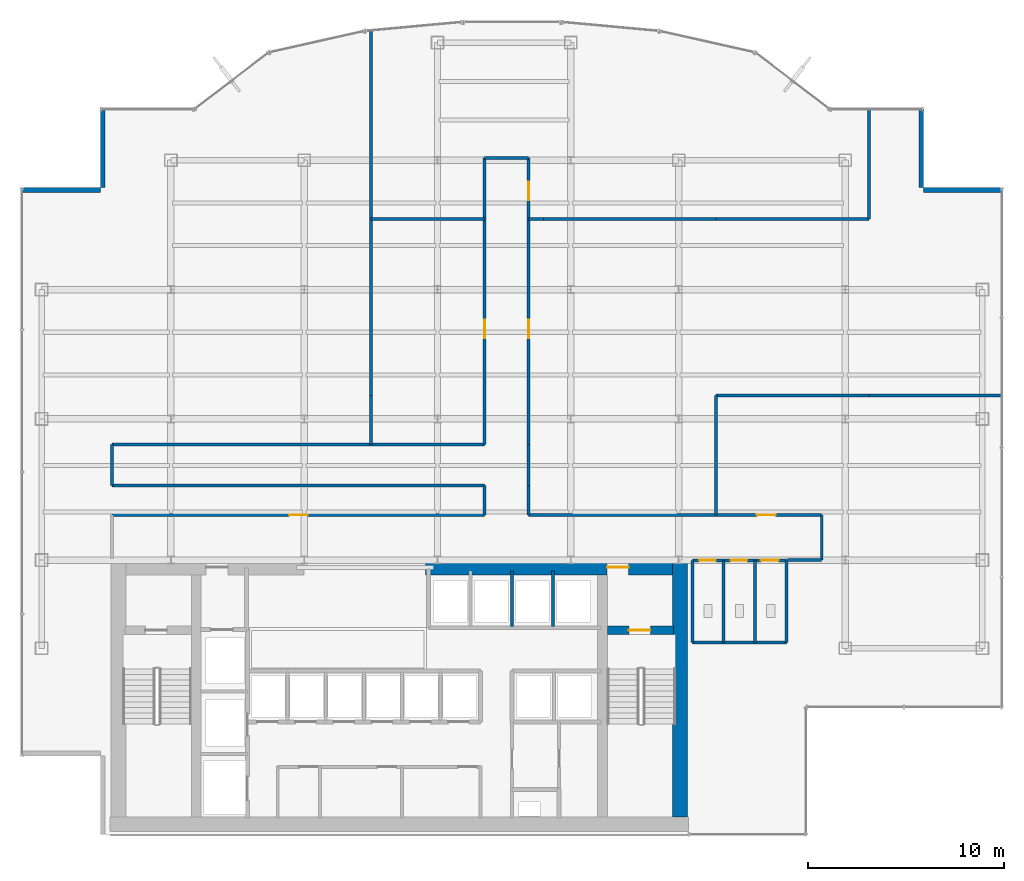
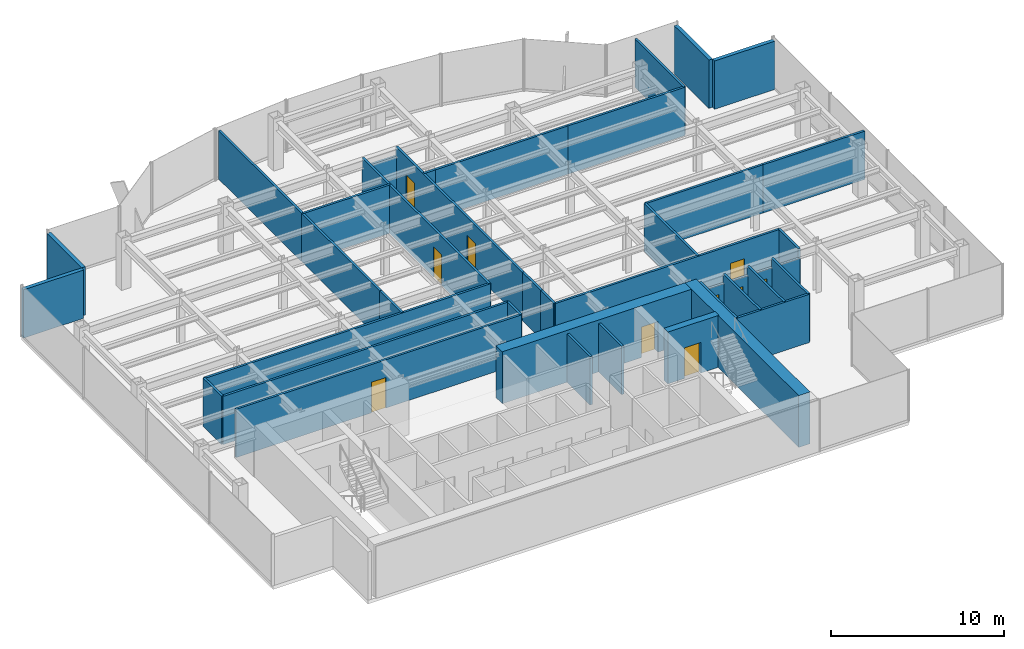
# One storey, part 21 of 25: 39 walls, 10 doors, 10 openings.
"""IFC4 building model written with IfcOpenShell, lengths in metres."""

import ifcopenshell
import ifcopenshell.guid

model = None  # the IFC model being written
_history = None  # IfcOwnerHistory: only IFC2X3 demands one
_inside = {}  # id of a spatial element -> (the spatial element, [elements in it])
_under = {}  # id of a project, library or spatial element -> (it, [spatial elements below it])
_declared = {}  # id of a project -> (the project, [libraries it declares])
_typed = {}  # id of a type object -> (the type object, [elements of that type])
_made_of = {}  # id of a material, layer set ... -> (it, [elements and type objects made of it])


def new_model(schema):
    """Start an empty IFC model of exactly this schema.

    Asked for "IFC4X3", IfcOpenShell would pick the latest addendum, in which some entities
    have other attributes; the version numbers below select the first issue.
    IFC2X3 requires an IfcOwnerHistory on every rooted entity: one is made here for all.
    """
    global model, _history
    if schema == "IFC4X3":
        model = ifcopenshell.file(schema_version=(4, 3, 0, 0))
    else:
        model = ifcopenshell.file(schema=schema)
    _inside.clear()
    _under.clear()
    _declared.clear()
    _typed.clear()
    _made_of.clear()
    _history = None
    if model.schema == "IFC2X3":
        org = make("IfcOrganization", Name="unknown")
        user = make(
            "IfcPersonAndOrganization",
            ThePerson=make("IfcPerson", FamilyName="unknown"),
            TheOrganization=org,
        )
        app = make(
            "IfcApplication",
            ApplicationDeveloper=org,
            Version="unknown",
            ApplicationFullName="unknown",
            ApplicationIdentifier="unknown",
        )
        _history = make(
            "IfcOwnerHistory",
            OwningUser=user,
            OwningApplication=app,
            ChangeAction="ADDED",
            CreationDate=0,
        )
    return model


def make(cls, **values):
    """One entity of the class cls with the attributes given. An attribute that is None is left unset."""
    return model.create_entity(
        cls, **{name: value for name, value in values.items() if value is not None}
    )


def rooted(cls, **values):
    """An entity with a GlobalId (a new one), such as an element, a storey or a relation."""
    return make(cls, GlobalId=ifcopenshell.guid.new(), OwnerHistory=_history, **values)


def si_unit(unit_type, name, prefix=None):
    """IfcSIUnit, for example si_unit("LENGTHUNIT", "METRE", prefix="MILLI")."""
    return make("IfcSIUnit", UnitType=unit_type, Prefix=prefix, Name=name)


def derived_unit(unit_type, elements):
    """IfcDerivedUnit: a product of units, each with its exponent."""
    return make(
        "IfcDerivedUnit",
        Elements=[
            make("IfcDerivedUnitElement", Unit=unit, Exponent=power)
            for unit, power in elements
        ],
        UnitType=unit_type,
    )


def assignment(units):
    """IfcUnitAssignment: the units of a project."""
    return None if units is None else make("IfcUnitAssignment", Units=units)


def point(xyz):
    """IfcCartesianPoint."""
    return None if xyz is None else make("IfcCartesianPoint", Coordinates=xyz)


def direction(xyz):
    """IfcDirection."""
    return None if xyz is None else make("IfcDirection", DirectionRatios=xyz)


def frame(location, z_axis=None, x_axis=None):
    """IfcAxis2Placement3D, a coordinate frame: its origin and axes. An axis left out is left unset."""
    return make(
        "IfcAxis2Placement3D",
        Location=point(location),
        Axis=direction(z_axis),
        RefDirection=direction(x_axis),
    )


def frame_2d(location, x_axis=None):
    """IfcAxis2Placement2D, a coordinate frame in the plane: its origin and x axis."""
    return make(
        "IfcAxis2Placement2D", Location=point(location), RefDirection=direction(x_axis)
    )


def origin():
    """The frame at (0, 0, 0) with its axes left unset."""
    return frame((0.0, 0.0, 0.0))


def place(relative_to, where):
    """IfcLocalPlacement: puts the frame where relative to a parent placement (None: the world)."""
    return make(
        "IfcLocalPlacement", PlacementRelTo=relative_to, RelativePlacement=where
    )


def context(
    kind, dimensions, precision=None, world=None, true_north=None, identifier=None
):
    """IfcGeometricRepresentationContext, for example the 3D "Model" context."""
    return make(
        "IfcGeometricRepresentationContext",
        ContextIdentifier=identifier,
        ContextType=kind,
        CoordinateSpaceDimension=dimensions,
        Precision=precision,
        WorldCoordinateSystem=world,
        TrueNorth=true_north,
    )


def subcontext(parent, identifier, kind, view, scale=None):
    """IfcGeometricRepresentationSubContext, for example "Body" below "Model"."""
    return make(
        "IfcGeometricRepresentationSubContext",
        ContextIdentifier=identifier,
        ContextType=kind,
        ParentContext=parent,
        TargetScale=scale,
        TargetView=view,
    )


def project(units=None, contexts=None):
    """IfcProject with its units and contexts."""
    return rooted(
        "IfcProject",
        Name="project",
        RepresentationContexts=contexts,
        UnitsInContext=assignment(units),
    )


def spatial(cls, under=None, at=None, **own):
    """A site, building, storey or space (cls), placed at a placement, below another one or the project."""
    s = rooted(cls, ObjectPlacement=at, **own)
    if under is not None:
        _under.setdefault(under.id(), (under, []))[1].append(s)
    return s


def profile(cls, at=None, kind="AREA", **sizes):
    """A parametric profile (cls). Its sizes go by their IFC names, for example OverallWidth=200.0."""
    return make(cls, ProfileType=kind, Position=at, **sizes)


def rectangle(**sizes):
    """IfcRectangleProfileDef."""
    return profile("IfcRectangleProfileDef", **sizes)


def extrude(swept, where, along, depth):
    """IfcExtrudedAreaSolid: the profile swept, set in the frame where, extruded along a direction by depth."""
    return make(
        "IfcExtrudedAreaSolid",
        SweptArea=swept,
        Position=where,
        ExtrudedDirection=direction(along),
        Depth=depth,
    )


def shape(context_of_items, identifier, shape_type, items):
    """IfcShapeRepresentation: the items that make up one representation, for example the "Body"."""
    return make(
        "IfcShapeRepresentation",
        ContextOfItems=context_of_items,
        RepresentationIdentifier=identifier,
        RepresentationType=shape_type,
        Items=items,
    )


def source(mapping_origin, context_of_items, identifier, shape_type, items):
    """IfcRepresentationMap: a shape defined once, which mapped items show again and again."""
    return make(
        "IfcRepresentationMap",
        MappingOrigin=mapping_origin,
        MappedRepresentation=shape(context_of_items, identifier, shape_type, items),
    )


def transform(
    local_origin,
    x_axis=None,
    y_axis=None,
    z_axis=None,
    scale=None,
    scale2=None,
    scale3=None,
    uniform=True,
):
    """IfcCartesianTransformationOperator3D, or its non-uniform kind. x_axis, y_axis, z_axis: its Axis1, 2, 3."""
    if uniform:
        return make(
            "IfcCartesianTransformationOperator3D",
            Axis1=direction(x_axis),
            Axis2=direction(y_axis),
            LocalOrigin=point(local_origin),
            Scale=scale,
            Axis3=direction(z_axis),
        )
    return make(
        "IfcCartesianTransformationOperator3DnonUniform",
        Axis1=direction(x_axis),
        Axis2=direction(y_axis),
        LocalOrigin=point(local_origin),
        Scale=scale,
        Axis3=direction(z_axis),
        Scale2=scale2,
        Scale3=scale3,
    )


def mapped(mapping_source, mapping_target):
    """IfcMappedItem: shows the shape of a source again, moved by a transform."""
    return make(
        "IfcMappedItem", MappingSource=mapping_source, MappingTarget=mapping_target
    )


def material(Name=None, Category=None):
    """IfcMaterial."""
    return make("IfcMaterial", Name=Name, Category=Category)


def layer(
    of_material, thickness, ventilated=None, Name=None, Category=None, Priority=None
):
    """IfcMaterialLayer: one layer of a wall or slab, of a material (None: an air gap)."""
    return make(
        "IfcMaterialLayer",
        Material=of_material,
        LayerThickness=thickness,
        IsVentilated=ventilated,
        Name=Name,
        Category=Category,
        Priority=Priority,
    )


def layer_set(layers, Name=None):
    """IfcMaterialLayerSet."""
    return make("IfcMaterialLayerSet", MaterialLayers=layers, LayerSetName=Name)


def made_of(thing, what):
    """Note that an element or type object is made of a material, layer set ...; save() writes the relation."""
    if what is not None:
        _made_of.setdefault(what.id(), (what, []))[1].append(thing)
    return thing


def type_object(cls, material=None, **own):
    """A type object (cls), such as IfcWallType, which elements share."""
    return made_of(rooted(cls, **own), material)


def element(
    cls,
    number,
    at=None,
    inside=None,
    cuts=None,
    type_object=None,
    material=None,
    context=None,
    identifier="Body",
    shape_type=None,
    held_by="IfcProductDefinitionShape",
    body=None,
    shapes=None,
    **own,
):
    """One element of the class cls, such as IfcWall. Its Tag is "e" and its number.

    at: its placement. inside: the storey or other place that contains it. cuts: it is an
    opening in that element (IfcRelVoidsElement). A single representation is given by context,
    identifier, shape_type and body (its items); several are given by shapes. held_by: the class
    of the entity that holds the representations. save() writes the other relations.
    """
    e = rooted(cls, Tag="e%d" % number, ObjectPlacement=at, **own)
    if body is not None:
        shapes = [shape(context, identifier, shape_type, body)]
    if shapes is not None:
        e.Representation = make(held_by, Representations=shapes)
    if inside is not None:
        _inside.setdefault(inside.id(), (inside, []))[1].append(e)
    if cuts is not None:
        rooted(
            "IfcRelVoidsElement", RelatingBuildingElement=cuts, RelatedOpeningElement=e
        )
    if type_object is not None:
        _typed.setdefault(type_object.id(), (type_object, []))[1].append(e)
    return made_of(e, material)


def fill(opening, filler):
    """IfcRelFillsElement: the door or window that sits in an opening."""
    return rooted(
        "IfcRelFillsElement",
        RelatingOpeningElement=opening,
        RelatedBuildingElement=filler,
    )


def aggregate(whole, parts):
    """IfcRelAggregates: a whole, such as a stair, and the parts it consists of."""
    return rooted("IfcRelAggregates", RelatingObject=whole, RelatedObjects=parts)


def save(model, path):
    """Write the relations noted so far, then the file.

    IfcRelAggregates (storeys below a building ...), IfcRelContainedInSpatialStructure (elements
    in a storey), IfcRelDefinesByType, IfcRelAssociatesMaterial and IfcRelDeclares: one each for
    every whole, place, type object, material and project.
    """
    for whole, parts in _under.values():
        aggregate(whole, parts)
    for where, things in _inside.values():
        rooted(
            "IfcRelContainedInSpatialStructure",
            RelatedElements=things,
            RelatingStructure=where,
        )
    for kind, things in _typed.values():
        rooted("IfcRelDefinesByType", RelatedObjects=things, RelatingType=kind)
    for what, things in _made_of.values():
        rooted("IfcRelAssociatesMaterial", RelatedObjects=things, RelatingMaterial=what)
    for by, libraries in _declared.values():
        rooted("IfcRelDeclares", RelatingContext=by, RelatedDefinitions=libraries)
    model.write(path)


model = new_model("IFC4")

# Units and contexts
model_context = context("Model", 3, precision=1e-05, world=origin(), true_north=direction((0.0, 1.0)))
body_context = subcontext(model_context, "Body", "Model", "MODEL_VIEW")
ifc_project = project(units=[si_unit("LENGTHUNIT", "METRE"), si_unit("AREAUNIT", "SQUARE_METRE"), si_unit("VOLUMEUNIT", "CUBIC_METRE"), si_unit("PLANEANGLEUNIT", "RADIAN"), si_unit("MASSUNIT", "GRAM", prefix="KILO"), derived_unit("THERMALTRANSMITTANCEUNIT", [(si_unit("POWERUNIT", "WATT"), 1), (si_unit("LENGTHUNIT", "METRE"), -2), (si_unit("THERMODYNAMICTEMPERATUREUNIT", "KELVIN"), -1)])], contexts=[model_context])

# Site, building, storey
site_placement = place(None, origin())
site = spatial("IfcSite", under=ifc_project, at=site_placement, CompositionType="ELEMENT")
building_placement = place(site_placement, origin())
building = spatial("IfcBuilding", under=site, at=building_placement, Name="Skarnbrae Concourse Arena and Tower", CompositionType="ELEMENT")
storey_placement = place(building_placement, frame((0.0, 0.0, 162.5)))
storey = spatial("IfcBuildingStorey", under=building, at=storey_placement, Name="L41", CompositionType="ELEMENT", Elevation=162.5)

# Wall, opening, door
ifc_material_1 = material(Name="Concrete 50 MPa (C50/60)", Category="concrete")
ifc_layer_1 = layer(ifc_material_1, 0.449951171875)
ifc_layer_set_1 = layer_set([ifc_layer_1], Name="Concrete 50 MPa (C50/60)")
wall_type_1 = type_object("IfcWallType", Name="WALL-CORE-450-C50", PredefinedType="SHEAR", material=ifc_layer_set_1)
shared_shape_1 = source(origin(), body_context, "Body", "SweptSolid", [
    extrude(rectangle(XDim=3.389892578125, YDim=0.449951171875, at=frame_2d((1.69482421875, 0.0))), origin(), (0.0, 0.0, 1.0), 3.64990234375),
])
wall_1_placement = place(storey_placement, frame((29.860107421875, 10.419921875, 0.0), z_axis=(0.0, 0.0, 1.0), x_axis=(1.0, 0.0, 0.0)))
wall_1 = element("IfcWall", 1, at=wall_1_placement, inside=storey, type_object=wall_type_1, Name="L41 Rear core shear wall CW-ST2-N", PredefinedType="SHEAR", context=body_context, shape_type="MappedRepresentation", body=[
    mapped(shared_shape_1, transform((0.0, 0.0, 0.0))),
])
opening_1_placement = place(wall_1_placement, frame((1.10009765625, 0.0, 0.0)))
opening_1 = element("IfcOpeningElement", 2, at=opening_1_placement, cuts=wall_1, Name="Opening DT-03", PredefinedType="OPENING", context=body_context, shape_type="SweptSolid", body=[
    extrude(rectangle(XDim=1.10009765625, YDim=2.14990234375, at=frame_2d((0.550048828125, 1.074951171875))), frame((0.0, 0.23486328125, 0.0), z_axis=(0.0, -1.0, 0.0), x_axis=(1.0, 0.0, 0.0)), (0.0, 0.0, 1.0), 0.469970703125),
])
ifc_material_2 = material(Name="Steel CSA G40.21 350W", Category="steel")
door_type_1 = type_object("IfcDoorType", Name="DOOR-FIRE-1100-90M", OperationType="NOTDEFINED", PredefinedType="DOOR", material=ifc_material_2)
shared_shape_2 = source(origin(), body_context, "Body", "SweptSolid", [
    extrude(rectangle(XDim=1.10009765625, YDim=2.14990234375, at=frame_2d((0.550048828125, 1.074951171875))), frame((0.0, 0.02490234375, 0.0), z_axis=(0.0, -1.0, 0.0), x_axis=(1.0, 0.0, 0.0)), (0.0, 0.0, 1.0), 0.050048828125),
])
door_1_placement = place(opening_1_placement, frame((1.10009765625, 0.0, 0.0), z_axis=(0.0, 0.0, 1.0), x_axis=(-1.0, 0.0, 0.0)))
door_1 = element("IfcDoor", 3, at=door_1_placement, inside=storey, type_object=door_type_1, Name="D-1268 Stair ST-2 Door", OperationType="SINGLE_SWING_RIGHT", OverallHeight=2.14990234375, OverallWidth=1.10009765625, PredefinedType="DOOR", context=body_context, shape_type="MappedRepresentation", body=[
    mapped(shared_shape_2, transform((0.0, 0.0, 0.0))),
])
fill(opening_1, door_1)

# Wall
ifc_material_3 = material(Name="Concrete 60 MPa (C60/75)", Category="concrete")
ifc_layer_2 = layer(ifc_material_3, 0.75)
ifc_layer_set_2 = layer_set([ifc_layer_2], Name="Concrete 60 MPa (C60/75)")
wall_type_2 = type_object("IfcWallType", Name="WALL-CORE-750-C60", PredefinedType="SHEAR", material=ifc_layer_set_2)
shared_shape_3 = source(origin(), body_context, "Body", "SweptSolid", [
    extrude(rectangle(XDim=13.10009765625, YDim=0.75, at=frame_2d((6.550048828125, 0.0))), origin(), (0.0, 0.0, 1.0), 3.64990234375),
])
wall_2_placement = place(storey_placement, frame((33.574951171875, 0.89990234375, 0.0), z_axis=(0.0, 0.0, 1.0), x_axis=(0.0, 1.0, 0.0)))
element("IfcWall", 4, at=wall_2_placement, inside=storey, type_object=wall_type_2, Name="L41 Rear core shear wall CW-E", PredefinedType="SHEAR", context=body_context, shape_type="MappedRepresentation", body=[
    mapped(shared_shape_3, transform((0.0, 0.0, 0.0))),
])

# Wall, opening, door
shared_shape_4 = source(origin(), body_context, "Body", "SweptSolid", [
    extrude(rectangle(XDim=12.599853515625, YDim=0.75, at=frame_2d((6.2998046875, 0.0))), origin(), (0.0, 0.0, 1.0), 3.64990234375),
])
wall_3_placement = place(storey_placement, frame((20.60009765625, 13.625, 0.0), z_axis=(0.0, 0.0, 1.0), x_axis=(1.0, 0.0, 0.0)))
wall_3 = element("IfcWall", 5, at=wall_3_placement, inside=storey, type_object=wall_type_2, Name="L41 Rear core shear wall CW-NE", PredefinedType="SHEAR", context=body_context, shape_type="MappedRepresentation", body=[
    mapped(shared_shape_4, transform((0.0, 0.0, 0.0))),
])
opening_2_placement = place(wall_3_placement, frame((9.25, 0.0, 0.0)))
opening_2 = element("IfcOpeningElement", 6, at=opening_2_placement, cuts=wall_3, Name="Opening DT-03", PredefinedType="OPENING", context=body_context, shape_type="SweptSolid", body=[
    extrude(rectangle(XDim=1.10009765625, YDim=2.14990234375, at=frame_2d((0.550048828125, 1.074951171875))), frame((0.0, 0.385009765625, 0.0), z_axis=(0.0, -1.0, 0.0), x_axis=(1.0, 0.0, 0.0)), (0.0, 0.0, 1.0), 0.77001953125),
])
door_2_placement = place(opening_2_placement, origin())
door_2 = element("IfcDoor", 7, at=door_2_placement, inside=storey, type_object=door_type_1, Name="D-1270 Stair ST-2 Vestibule Door", OperationType="SINGLE_SWING_LEFT", OverallHeight=2.14990234375, OverallWidth=1.10009765625, PredefinedType="DOOR", context=body_context, shape_type="MappedRepresentation", body=[
    mapped(shared_shape_2, transform((0.0, 0.0, 0.0))),
])
fill(opening_2, door_2)

# Walls
ifc_material_4 = material(Name="Precast concrete 40 MPa (C40/50)", Category="concrete")
ifc_layer_3 = layer(ifc_material_4, 0.25)
ifc_layer_set_3 = layer_set([ifc_layer_3], Name="Precast concrete 40 MPa (C40/50)")
wall_type_3 = type_object("IfcWallType", Name="WALL-EXT-SPANDREL-250", PredefinedType="STANDARD", material=ifc_layer_set_3)
shared_shape_5 = source(origin(), body_context, "Body", "SweptSolid", [
    extrude(rectangle(XDim=4.0, YDim=0.25, at=frame_2d((2.0, 0.0))), origin(), (0.0, 0.0, 1.0), 3.39990234375),
])
for number, where, z_axis, x_axis, name in (
    (8, (50.0, 32.875, 0.0), (0.0, 0.0, 1.0), (-1.0, 0.0, 0.0), "L41 Notched corner insulated return wall 05"),
    (9, (45.875, 33.0, 0.0), (0.0, 0.0, 1.0), (0.0, 1.0, 0.0), "L41 Notched corner insulated return wall 06"),
    (10, (4.125, 37.0, 0.0), (0.0, 0.0, 1.0), (0.0, -1.0, 0.0), "L41 Notched corner insulated return wall 16"),
    (11, (4.0, 32.875, 0.0), (0.0, 0.0, 1.0), (-1.0, 0.0, 0.0), "L41 Notched corner insulated return wall 17"),
):
    element("IfcWall", number, at=place(storey_placement, frame(where, z_axis=z_axis, x_axis=x_axis)), inside=storey, type_object=wall_type_3, Name=name, PredefinedType="STANDARD", context=body_context, shape_type="MappedRepresentation", body=[
        mapped(shared_shape_5, transform((0.0, 0.0, 0.0))),
    ])
ifc_material_5 = material(Name="Gypsum board on cold-formed steel studs", Category="steel")
ifc_layer_4 = layer(ifc_material_5, 0.14990234375)
ifc_layer_set_4 = layer_set([ifc_layer_4], Name="Gypsum board on cold-formed steel studs")
wall_type_4 = type_object("IfcWallType", Name="WALL-PART-150", PredefinedType="PARTITIONING", material=ifc_layer_set_4)
shared_shape_6 = source(origin(), body_context, "Body", "SweptSolid", [
    extrude(rectangle(XDim=2.5, YDim=0.14990234375, at=frame_2d((1.25, 0.0))), origin(), (0.0, 0.0, 1.0), 3.39990234375),
])
wall_4_placement = place(storey_placement, frame((17.800048828125, 22.39990234375, 0.0), z_axis=(0.0, 0.0, 1.0), x_axis=(0.0, -1.0, 0.0)))
element("IfcWall", 12, at=wall_4_placement, inside=storey, type_object=wall_type_4, Name="L41 Interior partition wall W-L41-DEM-16", PredefinedType="PARTITIONING", context=body_context, shape_type="MappedRepresentation", body=[
    mapped(shared_shape_6, transform((0.0, 0.0, 0.0))),
])
shared_shape_7 = source(origin(), body_context, "Body", "SweptSolid", [
    extrude(rectangle(XDim=2.849853515625, YDim=0.14990234375, at=frame_2d((1.4248046875, 0.0))), origin(), (0.0, 0.0, 1.0), 3.39990234375),
])
for number, where, z_axis, x_axis, name in (
    (13, (24.989990234375, 10.60009765625, 0.0), (0.0, 0.0, 1.0), (0.0, 1.0, 0.0), "L41 Interior partition wall W-L41-B3N-P2"),
    (14, (27.090087890625, 10.60009765625, 0.0), (0.0, 0.0, 1.0), (0.0, 1.0, 0.0), "L41 Interior partition wall W-L41-B3N-P3"),
):
    element("IfcWall", number, at=place(storey_placement, frame(where, z_axis=z_axis, x_axis=x_axis)), inside=storey, type_object=wall_type_4, Name=name, PredefinedType="PARTITIONING", context=body_context, shape_type="MappedRepresentation", body=[
        mapped(shared_shape_7, transform((0.0, 0.0, 0.0))),
    ])
shared_shape_8 = source(origin(), body_context, "Body", "SweptSolid", [
    extrude(rectangle(XDim=4.800048828125, YDim=0.14990234375, at=frame_2d((2.39990234375, 0.0))), origin(), (0.0, 0.0, 1.0), 3.39990234375),
])
wall_5_placement = place(storey_placement, frame((34.199951171875, 9.800048828125, 0.0), z_axis=(0.0, 0.0, 1.0), x_axis=(1.0, 0.0, 0.0)))
element("IfcWall", 15, at=wall_5_placement, inside=storey, type_object=wall_type_4, Name="L41 Interior partition wall W-L41-WC-S", PredefinedType="PARTITIONING", context=body_context, shape_type="MappedRepresentation", body=[
    mapped(shared_shape_8, transform((0.0, 0.0, 0.0))),
])
shared_shape_9 = source(origin(), body_context, "Body", "SweptSolid", [
    extrude(rectangle(XDim=4.179931640625, YDim=0.14990234375, at=frame_2d((2.08984375, 0.0))), origin(), (0.0, 0.0, 1.0), 3.39990234375),
])
for number, where, z_axis, x_axis, name in (
    (16, (39.0, 9.800048828125, 0.0), (0.0, 0.0, 1.0), (0.0, 1.0, 0.0), "L41 Interior partition wall W-L41-WC-E"),
    (17, (34.199951171875, 9.800048828125, 0.0), (0.0, 0.0, 1.0), (0.0, 1.0, 0.0), "L41 Interior partition wall W-L41-WC-W"),
    (18, (35.800048828125, 9.800048828125, 0.0), (0.0, 0.0, 1.0), (0.0, 1.0, 0.0), "L41 Interior partition wall W-L41-WC-D1"),
    (19, (37.39990234375, 9.800048828125, 0.0), (0.0, 0.0, 1.0), (0.0, 1.0, 0.0), "L41 Interior partition wall W-L41-WC-D2"),
):
    element("IfcWall", number, at=place(storey_placement, frame(where, z_axis=z_axis, x_axis=x_axis)), inside=storey, type_object=wall_type_4, Name=name, PredefinedType="PARTITIONING", context=body_context, shape_type="MappedRepresentation", body=[
        mapped(shared_shape_9, transform((0.0, 0.0, 0.0))),
    ])
ifc_layer_5 = layer(ifc_material_5, 0.14990234375)
ifc_layer_set_5 = layer_set([ifc_layer_5], Name="Gypsum board on cold-formed steel studs")
wall_type_5 = type_object("IfcWallType", Name="WALL-PART-150-1HR", PredefinedType="PARTITIONING", material=ifc_layer_set_5)
shared_shape_10 = source(origin(), body_context, "Body", "SweptSolid", [
    extrude(rectangle(XDim=2.300048828125, YDim=0.14990234375, at=frame_2d((1.14990234375, 0.0))), origin(), (0.0, 0.0, 1.0), 3.39990234375),
])
wall_6_placement = place(storey_placement, frame((40.800048828125, 16.300048828125, 0.0), z_axis=(0.0, 0.0, 1.0), x_axis=(0.0, -1.0, 0.0)))
element("IfcWall", 20, at=wall_6_placement, inside=storey, type_object=wall_type_5, Name="L41 Interior partition wall W-L41-COR-13", PredefinedType="PARTITIONING", context=body_context, shape_type="MappedRepresentation", body=[
    mapped(shared_shape_10, transform((0.0, 0.0, 0.0))),
])
shared_shape_11 = source(origin(), body_context, "Body", "SweptSolid", [
    extrude(rectangle(XDim=2.099853515625, YDim=0.14990234375, at=frame_2d((1.0498046875, 0.0))), origin(), (0.0, 0.0, 1.0), 3.39990234375),
])
for number, where, z_axis, x_axis, name in (
    (21, (4.60009765625, 17.800048828125, 0.0), (0.0, 0.0, 1.0), (0.0, 1.0, 0.0), "L41 Interior partition wall W-L41-COR-05"),
    (22, (25.85009765625, 19.89990234375, 0.0), (0.0, 0.0, 1.0), (0.0, -1.0, 0.0), "L41 Interior partition wall W-L41-COR-10"),
):
    element("IfcWall", number, at=place(storey_placement, frame(where, z_axis=z_axis, x_axis=x_axis)), inside=storey, type_object=wall_type_5, Name=name, PredefinedType="PARTITIONING", context=body_context, shape_type="MappedRepresentation", body=[
        mapped(shared_shape_11, transform((0.0, 0.0, 0.0))),
    ])

# Wall, openings, doors
shared_shape_12 = source(origin(), body_context, "Body", "SweptSolid", [
    extrude(rectangle(XDim=4.800048828125, YDim=0.14990234375, at=frame_2d((2.39990234375, 0.0))), origin(), (0.0, 0.0, 1.0), 2.760009765625),
])
wall_7_placement = place(storey_placement, frame((34.199951171875, 13.97998046875, 0.0), z_axis=(0.0, 0.0, 1.0), x_axis=(1.0, 0.0, 0.0)))
wall_7 = element("IfcWall", 23, at=wall_7_placement, inside=storey, type_object=wall_type_4, Name="L41 Interior partition wall W-L41-WC-N", PredefinedType="PARTITIONING", context=body_context, shape_type="MappedRepresentation", body=[
    mapped(shared_shape_12, transform((0.0, 0.0, 0.0))),
])
opening_3_placement = place(wall_7_placement, frame((0.35009765625, 0.0, 0.0)))
opening_3 = element("IfcOpeningElement", 24, at=opening_3_placement, cuts=wall_7, Name="Opening DT-06", PredefinedType="OPENING", context=body_context, shape_type="SweptSolid", body=[
    extrude(rectangle(XDim=0.85009765625, YDim=2.10009765625, at=frame_2d((0.425048828125, 1.050048828125))), frame((0.0, 0.0849609375, 0.0), z_axis=(0.0, -1.0, 0.0), x_axis=(1.0, 0.0, 0.0)), (0.0, 0.0, 1.0), 0.169921875),
])
opening_4_placement = place(wall_7_placement, frame((1.949951171875, 0.0, 0.0)))
opening_4 = element("IfcOpeningElement", 25, at=opening_4_placement, cuts=wall_7, Name="Opening DT-06", PredefinedType="OPENING", context=body_context, shape_type="SweptSolid", body=[
    extrude(rectangle(XDim=0.85009765625, YDim=2.10009765625, at=frame_2d((0.425048828125, 1.050048828125))), frame((0.0, 0.0849609375, 0.0), z_axis=(0.0, -1.0, 0.0), x_axis=(1.0, 0.0, 0.0)), (0.0, 0.0, 1.0), 0.169921875),
])
opening_5_placement = place(wall_7_placement, frame((3.5, 0.0, 0.0)))
opening_5 = element("IfcOpeningElement", 26, at=opening_5_placement, cuts=wall_7, Name="Opening DT-05", PredefinedType="OPENING", context=body_context, shape_type="SweptSolid", body=[
    extrude(rectangle(XDim=0.89990234375, YDim=2.10009765625, at=frame_2d((0.449951171875, 1.050048828125))), frame((0.0, 0.0849609375, 0.0), z_axis=(0.0, -1.0, 0.0), x_axis=(1.0, 0.0, 0.0)), (0.0, 0.0, 1.0), 0.169921875),
])
ifc_material_6 = material(Name="Architectural oak veneer timber leaf", Category="wood")
door_type_2 = type_object("IfcDoorType", Name="DOOR-INT-850", OperationType="NOTDEFINED", PredefinedType="DOOR", material=ifc_material_6)
shared_shape_13 = source(origin(), body_context, "Body", "SweptSolid", [
    extrude(rectangle(XDim=0.85009765625, YDim=2.10009765625, at=frame_2d((0.425048828125, 1.050048828125))), frame((0.0, 0.02490234375, 0.0), z_axis=(0.0, -1.0, 0.0), x_axis=(1.0, 0.0, 0.0)), (0.0, 0.0, 1.0), 0.050048828125),
])
door_3_placement = place(opening_3_placement, frame((0.85009765625, 0.0, 0.0), z_axis=(0.0, 0.0, 1.0), x_axis=(-1.0, 0.0, 0.0)))
door_3 = element("IfcDoor", 27, at=door_3_placement, inside=storey, type_object=door_type_2, Name="D-1285 Male Washroom Door", OperationType="SINGLE_SWING_LEFT", OverallHeight=2.10009765625, OverallWidth=0.85009765625, PredefinedType="DOOR", context=body_context, shape_type="MappedRepresentation", body=[
    mapped(shared_shape_13, transform((0.0, 0.0, 0.0))),
])
fill(opening_3, door_3)
door_4_placement = place(opening_4_placement, frame((0.85009765625, 0.0, 0.0), z_axis=(0.0, 0.0, 1.0), x_axis=(-1.0, 0.0, 0.0)))
door_4 = element("IfcDoor", 28, at=door_4_placement, inside=storey, type_object=door_type_2, Name="D-1286 Female Washroom Door", OperationType="SINGLE_SWING_RIGHT", OverallHeight=2.10009765625, OverallWidth=0.85009765625, PredefinedType="DOOR", context=body_context, shape_type="MappedRepresentation", body=[
    mapped(shared_shape_13, transform((0.0, 0.0, 0.0))),
])
fill(opening_4, door_4)
door_type_3 = type_object("IfcDoorType", Name="DOOR-INT-900", OperationType="NOTDEFINED", PredefinedType="DOOR", material=ifc_material_6)
shared_shape_14 = source(origin(), body_context, "Body", "SweptSolid", [
    extrude(rectangle(XDim=0.89990234375, YDim=2.10009765625, at=frame_2d((0.449951171875, 1.050048828125))), frame((0.0, 0.02490234375, 0.0), z_axis=(0.0, -1.0, 0.0), x_axis=(1.0, 0.0, 0.0)), (0.0, 0.0, 1.0), 0.050048828125),
])
door_5_placement = place(opening_5_placement, frame((0.89990234375, 0.0, 0.0), z_axis=(0.0, 0.0, 1.0), x_axis=(-1.0, 0.0, 0.0)))
door_5 = element("IfcDoor", 29, at=door_5_placement, inside=storey, type_object=door_type_3, Name="D-1287 Accessible WC Door", OperationType="SINGLE_SWING_LEFT", OverallHeight=2.10009765625, OverallWidth=0.89990234375, PredefinedType="DOOR", context=body_context, shape_type="MappedRepresentation", body=[
    mapped(shared_shape_14, transform((0.0, 0.0, 0.0))),
])
fill(opening_5, door_5)

# Walls
shared_shape_15 = source(origin(), body_context, "Body", "SweptSolid", [
    extrude(rectangle(XDim=9.0, YDim=0.14990234375, at=frame_2d((4.5, 0.0))), origin(), (0.0, 0.0, 1.0), 3.39990234375),
])
wall_8_placement = place(storey_placement, frame((17.800048828125, 31.39990234375, 0.0), z_axis=(0.0, 0.0, 1.0), x_axis=(0.0, -1.0, 0.0)))
element("IfcWall", 30, at=wall_8_placement, inside=storey, type_object=wall_type_4, Name="L41 Interior partition wall W-L41-DEM-15", PredefinedType="PARTITIONING", context=body_context, shape_type="MappedRepresentation", body=[
    mapped(shared_shape_15, transform((0.0, 0.0, 0.0))),
])
shared_shape_16 = source(origin(), body_context, "Body", "SweptSolid", [
    extrude(rectangle(XDim=1.75, YDim=0.14990234375, at=frame_2d((0.875, 0.0))), origin(), (0.0, 0.0, 1.0), 2.760009765625),
])
wall_9_placement = place(storey_placement, frame((40.800048828125, 14.0, 0.0), z_axis=(0.0, 0.0, 1.0), x_axis=(-1.0, 0.0, 0.0)))
element("IfcWall", 31, at=wall_9_placement, inside=storey, type_object=wall_type_5, Name="L41 Interior partition wall W-L41-COR-14", PredefinedType="PARTITIONING", context=body_context, shape_type="MappedRepresentation", body=[
    mapped(shared_shape_16, transform((0.0, 0.0, 0.0))),
])
shared_shape_17 = source(origin(), body_context, "Body", "SweptSolid", [
    extrude(rectangle(XDim=2.25, YDim=0.14990234375, at=frame_2d((1.125, 0.0))), origin(), (0.0, 0.0, 1.0), 2.760009765625),
])
wall_10_placement = place(storey_placement, frame((23.60009765625, 34.5, 0.0), z_axis=(0.0, 0.0, 1.0), x_axis=(1.0, 0.0, 0.0)))
element("IfcWall", 32, at=wall_10_placement, inside=storey, type_object=wall_type_5, Name="L41 Interior partition wall W-L41-COR-08", PredefinedType="PARTITIONING", context=body_context, shape_type="MappedRepresentation", body=[
    mapped(shared_shape_17, transform((0.0, 0.0, 0.0))),
])

# Wall, opening, door
shared_shape_18 = source(origin(), body_context, "Body", "SweptSolid", [
    extrude(rectangle(XDim=19.0, YDim=0.14990234375, at=frame_2d((9.5, 0.0))), origin(), (0.0, 0.0, 1.0), 3.39990234375),
])
wall_11_placement = place(storey_placement, frame((4.60009765625, 16.300048828125, 0.0), z_axis=(0.0, 0.0, 1.0), x_axis=(1.0, 0.0, 0.0)))
wall_11 = element("IfcWall", 33, at=wall_11_placement, inside=storey, type_object=wall_type_5, Name="L41 Interior partition wall W-L41-COR-02", PredefinedType="PARTITIONING", context=body_context, shape_type="MappedRepresentation", body=[
    mapped(shared_shape_18, transform((0.0, 0.0, 0.0))),
])
opening_6_placement = place(wall_11_placement, frame((9.02490234375, 0.0, 0.0)))
opening_6 = element("IfcOpeningElement", 34, at=opening_6_placement, cuts=wall_11, Name="Opening DT-04", PredefinedType="OPENING", context=body_context, shape_type="SweptSolid", body=[
    extrude(rectangle(XDim=0.949951171875, YDim=2.14990234375, at=frame_2d((0.47509765625, 1.074951171875))), frame((0.0, 0.0849609375, 0.0), z_axis=(0.0, -1.0, 0.0), x_axis=(1.0, 0.0, 0.0)), (0.0, 0.0, 1.0), 0.169921875),
])
door_type_4 = type_object("IfcDoorType", Name="DOOR-INT-950-45M", OperationType="NOTDEFINED", PredefinedType="DOOR", material=ifc_material_2)
shared_shape_19 = source(origin(), body_context, "Body", "SweptSolid", [
    extrude(rectangle(XDim=0.949951171875, YDim=2.14990234375, at=frame_2d((0.47509765625, 1.074951171875))), frame((0.0, 0.02490234375, 0.0), z_axis=(0.0, -1.0, 0.0), x_axis=(1.0, 0.0, 0.0)), (0.0, 0.0, 1.0), 0.050048828125),
])
door_6_placement = place(opening_6_placement, origin())
door_6 = element("IfcDoor", 35, at=door_6_placement, inside=storey, type_object=door_type_4, Name="D-1288 L41 Suite Door 01", OperationType="SINGLE_SWING_LEFT", OverallHeight=2.14990234375, OverallWidth=0.949951171875, PredefinedType="DOOR", context=body_context, shape_type="MappedRepresentation", body=[
    mapped(shared_shape_19, transform((0.0, 0.0, 0.0))),
])
fill(opening_6, door_6)

# Walls
for number, where, z_axis, x_axis, name in (
    (36, (23.60009765625, 17.800048828125, 0.0), (0.0, 0.0, 1.0), (-1.0, 0.0, 0.0), "L41 Interior partition wall W-L41-COR-04"),
    (37, (4.60009765625, 19.89990234375, 0.0), (0.0, 0.0, 1.0), (1.0, 0.0, 0.0), "L41 Interior partition wall W-L41-COR-06"),
):
    element("IfcWall", number, at=place(storey_placement, frame(where, z_axis=z_axis, x_axis=x_axis)), inside=storey, type_object=wall_type_5, Name=name, PredefinedType="PARTITIONING", context=body_context, shape_type="MappedRepresentation", body=[
        mapped(shared_shape_18, transform((0.0, 0.0, 0.0))),
    ])
shared_shape_20 = source(origin(), body_context, "Body", "SweptSolid", [
    extrude(rectangle(XDim=1.5, YDim=0.14990234375, at=frame_2d((0.75, 0.0))), origin(), (0.0, 0.0, 1.0), 3.39990234375),
])
for number, where, z_axis, x_axis, name in (
    (38, (23.60009765625, 16.300048828125, 0.0), (0.0, 0.0, 1.0), (0.0, 1.0, 0.0), "L41 Interior partition wall W-L41-COR-03"),
    (39, (25.85009765625, 17.800048828125, 0.0), (0.0, 0.0, 1.0), (0.0, -1.0, 0.0), "L41 Interior partition wall W-L41-COR-11"),
):
    element("IfcWall", number, at=place(storey_placement, frame(where, z_axis=z_axis, x_axis=x_axis)), inside=storey, type_object=wall_type_5, Name=name, PredefinedType="PARTITIONING", context=body_context, shape_type="MappedRepresentation", body=[
        mapped(shared_shape_20, transform((0.0, 0.0, 0.0))),
    ])

# Wall, opening, door
shared_shape_21 = source(origin(), body_context, "Body", "SweptSolid", [
    extrude(rectangle(XDim=14.60009765625, YDim=0.14990234375, at=frame_2d((7.300048828125, 0.0))), origin(), (0.0, 0.0, 1.0), 3.39990234375),
])
wall_12_placement = place(storey_placement, frame((23.60009765625, 19.89990234375, 0.0), z_axis=(0.0, 0.0, 1.0), x_axis=(0.0, 1.0, 0.0)))
wall_12 = element("IfcWall", 40, at=wall_12_placement, inside=storey, type_object=wall_type_5, Name="L41 Interior partition wall W-L41-COR-07", PredefinedType="PARTITIONING", context=body_context, shape_type="MappedRepresentation", body=[
    mapped(shared_shape_21, transform((0.0, 0.0, 0.0))),
])
opening_7_placement = place(wall_12_placement, frame((5.405029296875, 0.0, 0.0)))
opening_7 = element("IfcOpeningElement", 41, at=opening_7_placement, cuts=wall_12, Name="Opening DT-04", PredefinedType="OPENING", context=body_context, shape_type="SweptSolid", body=[
    extrude(rectangle(XDim=0.949951171875, YDim=2.14990234375, at=frame_2d((0.47509765625, 1.074951171875))), frame((0.0, 0.0849609375, 0.0), z_axis=(0.0, -1.0, 0.0), x_axis=(1.0, 0.0, 0.0)), (0.0, 0.0, 1.0), 0.169921875),
])
door_7_placement = place(opening_7_placement, origin())
door_7 = element("IfcDoor", 42, at=door_7_placement, inside=storey, type_object=door_type_4, Name="D-1289 L41 Suite Door 02", OperationType="SINGLE_SWING_RIGHT", OverallHeight=2.14990234375, OverallWidth=0.949951171875, PredefinedType="DOOR", context=body_context, shape_type="MappedRepresentation", body=[
    mapped(shared_shape_19, transform((0.0, 0.0, 0.0))),
])
fill(opening_7, door_7)

# Wall, openings, doors
wall_13_placement = place(storey_placement, frame((25.85009765625, 34.5, 0.0), z_axis=(0.0, 0.0, 1.0), x_axis=(0.0, -1.0, 0.0)))
wall_13 = element("IfcWall", 43, at=wall_13_placement, inside=storey, type_object=wall_type_5, Name="L41 Interior partition wall W-L41-COR-09", PredefinedType="PARTITIONING", context=body_context, shape_type="MappedRepresentation", body=[
    mapped(shared_shape_21, transform((0.0, 0.0, 0.0))),
])
opening_8_placement = place(wall_13_placement, frame((1.205078125, 0.0, 0.0)))
opening_8 = element("IfcOpeningElement", 44, at=opening_8_placement, cuts=wall_13, Name="Opening DT-04", PredefinedType="OPENING", context=body_context, shape_type="SweptSolid", body=[
    extrude(rectangle(XDim=0.949951171875, YDim=2.14990234375, at=frame_2d((0.47509765625, 1.074951171875))), frame((0.0, 0.0849609375, 0.0), z_axis=(0.0, -1.0, 0.0), x_axis=(1.0, 0.0, 0.0)), (0.0, 0.0, 1.0), 0.169921875),
])
opening_9_placement = place(wall_13_placement, frame((8.2451171875, 0.0, 0.0)))
opening_9 = element("IfcOpeningElement", 45, at=opening_9_placement, cuts=wall_13, Name="Opening DT-04", PredefinedType="OPENING", context=body_context, shape_type="SweptSolid", body=[
    extrude(rectangle(XDim=0.949951171875, YDim=2.14990234375, at=frame_2d((0.47509765625, 1.074951171875))), frame((0.0, 0.0849609375, 0.0), z_axis=(0.0, -1.0, 0.0), x_axis=(1.0, 0.0, 0.0)), (0.0, 0.0, 1.0), 0.169921875),
])
door_8_placement = place(opening_8_placement, origin())
door_8 = element("IfcDoor", 46, at=door_8_placement, inside=storey, type_object=door_type_4, Name="D-1290 L41 Suite Door 03", OperationType="SINGLE_SWING_LEFT", OverallHeight=2.14990234375, OverallWidth=0.949951171875, PredefinedType="DOOR", context=body_context, shape_type="MappedRepresentation", body=[
    mapped(shared_shape_19, transform((0.0, 0.0, 0.0))),
])
fill(opening_8, door_8)
door_9_placement = place(opening_9_placement, origin())
door_9 = element("IfcDoor", 47, at=door_9_placement, inside=storey, type_object=door_type_4, Name="D-1291 L41 Suite Door 04", OperationType="SINGLE_SWING_RIGHT", OverallHeight=2.14990234375, OverallWidth=0.949951171875, PredefinedType="DOOR", context=body_context, shape_type="MappedRepresentation", body=[
    mapped(shared_shape_19, transform((0.0, 0.0, 0.0))),
])
fill(opening_9, door_9)

# Wall, opening, door
shared_shape_22 = source(origin(), body_context, "Body", "SweptSolid", [
    extrude(rectangle(XDim=14.949951171875, YDim=0.14990234375, at=frame_2d((7.47509765625, 0.0))), origin(), (0.0, 0.0, 1.0), 3.39990234375),
])
wall_14_placement = place(storey_placement, frame((25.85009765625, 16.300048828125, 0.0), z_axis=(0.0, 0.0, 1.0), x_axis=(1.0, 0.0, 0.0)))
wall_14 = element("IfcWall", 48, at=wall_14_placement, inside=storey, type_object=wall_type_5, Name="L41 Interior partition wall W-L41-COR-12", PredefinedType="PARTITIONING", context=body_context, shape_type="MappedRepresentation", body=[
    mapped(shared_shape_22, transform((0.0, 0.0, 0.0))),
])
opening_10_placement = place(wall_14_placement, frame((11.64501953125, 0.0, 0.0)))
opening_10 = element("IfcOpeningElement", 49, at=opening_10_placement, cuts=wall_14, Name="Opening DT-04", PredefinedType="OPENING", context=body_context, shape_type="SweptSolid", body=[
    extrude(rectangle(XDim=0.949951171875, YDim=2.14990234375, at=frame_2d((0.47509765625, 1.074951171875))), frame((0.0, 0.0849609375, 0.0), z_axis=(0.0, -1.0, 0.0), x_axis=(1.0, 0.0, 0.0)), (0.0, 0.0, 1.0), 0.169921875),
])
door_10_placement = place(opening_10_placement, origin())
door_10 = element("IfcDoor", 50, at=door_10_placement, inside=storey, type_object=door_type_4, Name="D-1292 L41 Suite Door 05", OperationType="SINGLE_SWING_LEFT", OverallHeight=2.14990234375, OverallWidth=0.949951171875, PredefinedType="DOOR", context=body_context, shape_type="MappedRepresentation", body=[
    mapped(shared_shape_19, transform((0.0, 0.0, 0.0))),
])
fill(opening_10, door_10)

# Walls
shared_shape_23 = source(origin(), body_context, "Body", "SweptSolid", [
    extrude(rectangle(XDim=5.800048828125, YDim=0.14990234375, at=frame_2d((2.89990234375, 0.0))), origin(), (0.0, 0.0, 1.0), 3.39990234375),
])
wall_15_placement = place(storey_placement, frame((17.800048828125, 31.39990234375, 0.0), z_axis=(0.0, 0.0, 1.0), x_axis=(1.0, 0.0, 0.0)))
element("IfcWall", 51, at=wall_15_placement, inside=storey, type_object=wall_type_4, Name="L41 Interior partition wall W-L41-DEM-17", PredefinedType="PARTITIONING", context=body_context, shape_type="MappedRepresentation", body=[
    mapped(shared_shape_23, transform((0.0, 0.0, 0.0))),
])
shared_shape_24 = source(origin(), body_context, "Body", "SweptSolid", [
    extrude(rectangle(XDim=9.595703125, YDim=0.14990234375, at=frame_2d((4.7978515625, 0.0))), origin(), (0.0, 0.0, 1.0), 3.39990234375),
])
wall_16_placement = place(storey_placement, frame((17.800048828125, 40.99560546875, 0.0), z_axis=(0.0, 0.0, 1.0), x_axis=(0.0, -1.0, 0.0)))
element("IfcWall", 52, at=wall_16_placement, inside=storey, type_object=wall_type_4, Name="L41 Interior partition wall W-L41-DEM-18", PredefinedType="PARTITIONING", context=body_context, shape_type="MappedRepresentation", body=[
    mapped(shared_shape_24, transform((0.0, 0.0, 0.0))),
])
shared_shape_25 = source(origin(), body_context, "Body", "SweptSolid", [
    extrude(rectangle(XDim=5.580078125, YDim=0.14990234375, at=frame_2d((2.7900390625, 0.0))), origin(), (0.0, 0.0, 1.0), 3.39990234375),
])
wall_17_placement = place(storey_placement, frame((43.199951171875, 36.97998046875, 0.0), z_axis=(0.0, 0.0, 1.0), x_axis=(0.0, -1.0, 0.0)))
element("IfcWall", 53, at=wall_17_placement, inside=storey, type_object=wall_type_4, Name="L41 Interior partition wall W-L41-DEM-19", PredefinedType="PARTITIONING", context=body_context, shape_type="MappedRepresentation", body=[
    mapped(shared_shape_25, transform((0.0, 0.0, 0.0))),
])
shared_shape_26 = source(origin(), body_context, "Body", "SweptSolid", [
    extrude(rectangle(XDim=7.800048828125, YDim=0.14990234375, at=frame_2d((3.89990234375, 0.0))), origin(), (0.0, 0.0, 1.0), 3.39990234375),
])
for number, where, z_axis, x_axis, name in (
    (54, (43.199951171875, 31.39990234375, 0.0), (0.0, 0.0, 1.0), (-1.0, 0.0, 0.0), "L41 Interior partition wall W-L41-DEM-20"),
    (55, (43.199951171875, 22.39990234375, 0.0), (0.0, 0.0, 1.0), (-1.0, 0.0, 0.0), "L41 Interior partition wall W-L41-DEM-24"),
):
    element("IfcWall", number, at=place(storey_placement, frame(where, z_axis=z_axis, x_axis=x_axis)), inside=storey, type_object=wall_type_4, Name=name, PredefinedType="PARTITIONING", context=body_context, shape_type="MappedRepresentation", body=[
        mapped(shared_shape_26, transform((0.0, 0.0, 0.0))),
    ])
shared_shape_27 = source(origin(), body_context, "Body", "SweptSolid", [
    extrude(rectangle(XDim=8.7998046875, YDim=0.14990234375, at=frame_2d((4.39990234375, 0.0))), origin(), (0.0, 0.0, 1.0), 3.39990234375),
])
wall_18_placement = place(storey_placement, frame((35.39990234375, 31.39990234375, 0.0), z_axis=(0.0, 0.0, 1.0), x_axis=(-1.0, 0.0, 0.0)))
element("IfcWall", 56, at=wall_18_placement, inside=storey, type_object=wall_type_4, Name="L41 Interior partition wall W-L41-DEM-21", PredefinedType="PARTITIONING", context=body_context, shape_type="MappedRepresentation", body=[
    mapped(shared_shape_27, transform((0.0, 0.0, 0.0))),
])
shared_shape_28 = source(origin(), body_context, "Body", "SweptSolid", [
    extrude(rectangle(XDim=0.75, YDim=0.14990234375, at=frame_2d((0.375, 0.0))), origin(), (0.0, 0.0, 1.0), 3.39990234375),
])
wall_19_placement = place(storey_placement, frame((26.60009765625, 31.39990234375, 0.0), z_axis=(0.0, 0.0, 1.0), x_axis=(-1.0, 0.0, 0.0)))
element("IfcWall", 57, at=wall_19_placement, inside=storey, type_object=wall_type_4, Name="L41 Interior partition wall W-L41-DEM-22", PredefinedType="PARTITIONING", context=body_context, shape_type="MappedRepresentation", body=[
    mapped(shared_shape_28, transform((0.0, 0.0, 0.0))),
])
shared_shape_29 = source(origin(), body_context, "Body", "SweptSolid", [
    extrude(rectangle(XDim=6.780029296875, YDim=0.14990234375, at=frame_2d((3.39013671875, 0.0))), origin(), (0.0, 0.0, 1.0), 3.39990234375),
])
wall_20_placement = place(storey_placement, frame((49.97998046875, 22.39990234375, 0.0), z_axis=(0.0, 0.0, 1.0), x_axis=(-1.0, 0.0, 0.0)))
element("IfcWall", 58, at=wall_20_placement, inside=storey, type_object=wall_type_4, Name="L41 Interior partition wall W-L41-DEM-23", PredefinedType="PARTITIONING", context=body_context, shape_type="MappedRepresentation", body=[
    mapped(shared_shape_29, transform((0.0, 0.0, 0.0))),
])
shared_shape_30 = source(origin(), body_context, "Body", "SweptSolid", [
    extrude(rectangle(XDim=6.099853515625, YDim=0.14990234375, at=frame_2d((3.0498046875, 0.0))), origin(), (0.0, 0.0, 1.0), 3.39990234375),
])
wall_21_placement = place(storey_placement, frame((35.39990234375, 22.39990234375, 0.0), z_axis=(0.0, 0.0, 1.0), x_axis=(0.0, -1.0, 0.0)))
element("IfcWall", 59, at=wall_21_placement, inside=storey, type_object=wall_type_4, Name="L41 Interior partition wall W-L41-DEM-25", PredefinedType="PARTITIONING", context=body_context, shape_type="MappedRepresentation", body=[
    mapped(shared_shape_30, transform((0.0, 0.0, 0.0))),
])

save(model, "model.ifc")
